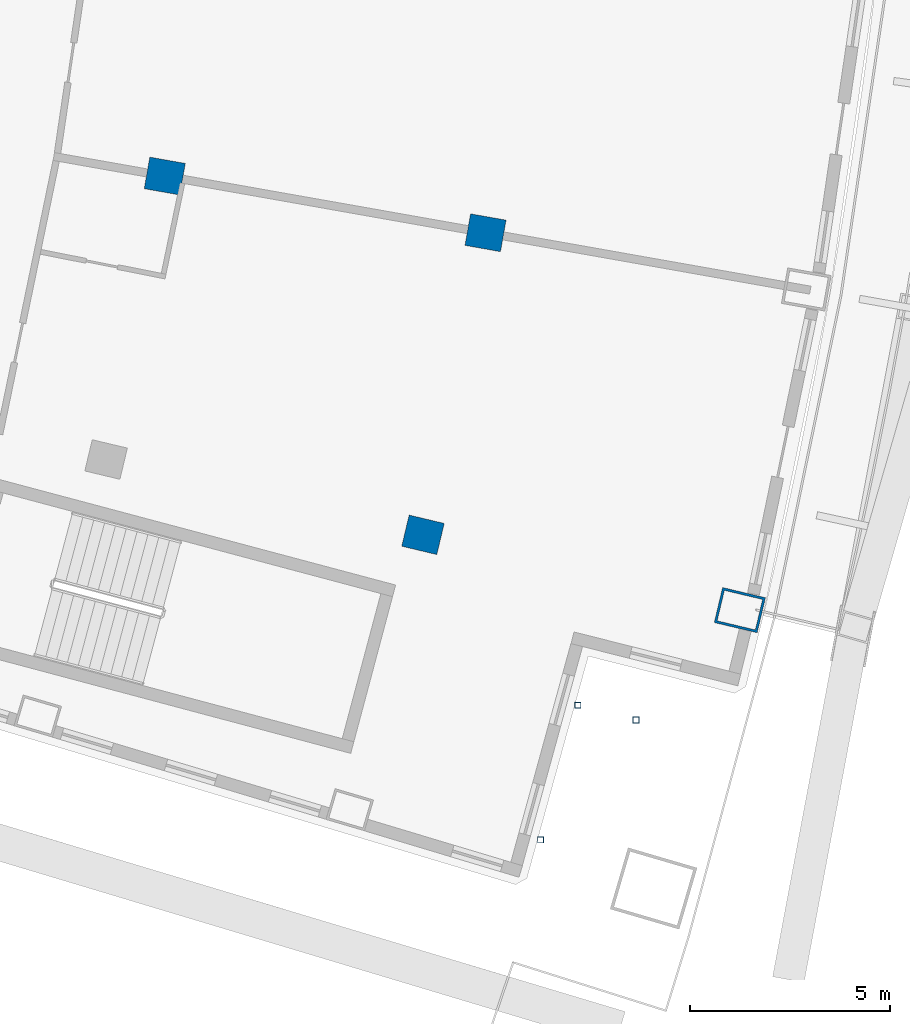
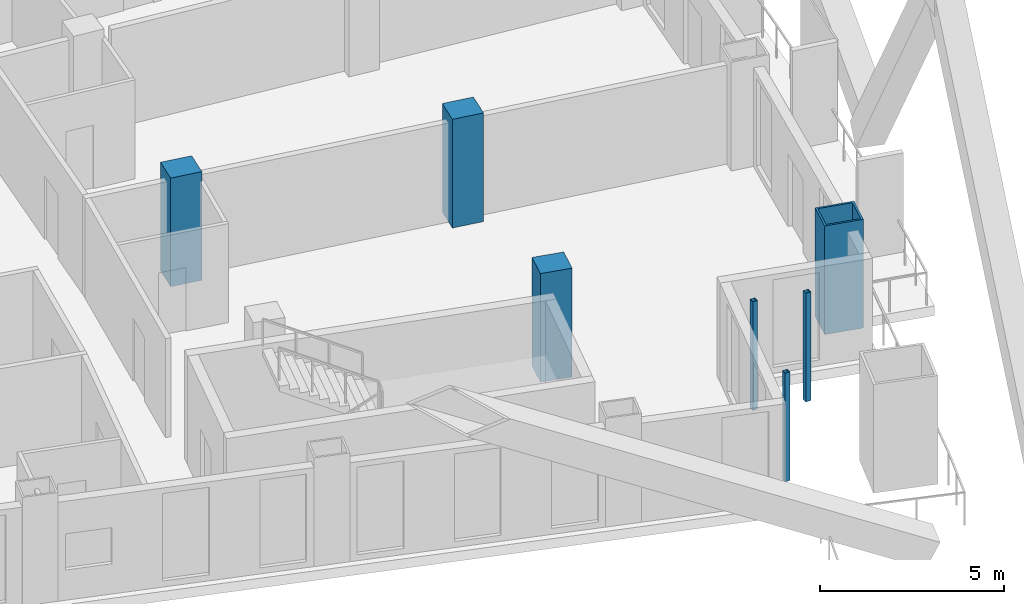
# One storey, part 4 of 20: 7 columns.
"""IFC4 building model written with IfcOpenShell, lengths in metres."""

from ifc_helpers import new_model, si_unit, direction, frame, origin, origin_2d, place, context, subcontext, project, spatial, rectangle, hollow_rectangle, extrude, material, material_profile, profile_set, type_object, element, save


model = new_model("IFC4")

# Units and contexts
model_context = context("Model", 3, precision=1e-05, world=origin(), true_north=direction((0.0, 1.0)))
body_context = subcontext(model_context, "Body", "Model", "MODEL_VIEW")
ifc_project = project(units=[si_unit("LENGTHUNIT", "METRE"), si_unit("AREAUNIT", "SQUARE_METRE"), si_unit("VOLUMEUNIT", "CUBIC_METRE"), si_unit("PLANEANGLEUNIT", "RADIAN"), si_unit("MASSUNIT", "GRAM", prefix="KILO")], contexts=[model_context])

# Site, building, storey
site_placement = place(None, origin())
site = spatial("IfcSite", under=ifc_project, at=site_placement, CompositionType="ELEMENT")
building_placement = place(site_placement, origin())
building = spatial("IfcBuilding", under=site, at=building_placement, Name="Alderwake Tower", CompositionType="ELEMENT")
storey_placement = place(building_placement, frame((0.0, 0.0, 138.800048828125)))
storey = spatial("IfcBuildingStorey", under=building, at=storey_placement, Name="L33", CompositionType="ELEMENT", Elevation=138.800048828125)

# Columns
ifc_material_1 = material(Name="Concrete C70/85", Category="concrete")
ifc_material_profile_1 = material_profile(ifc_material_1, rectangle(XDim=0.800048828125, YDim=0.89990234375, at=origin_2d()), Name="RC 900X800")
ifc_profile_set_1 = profile_set([ifc_material_profile_1], Name="Concrete C70/85")
column_type_1 = type_object("IfcColumnType", Name="Interior column Z3", PredefinedType="COLUMN", material=ifc_profile_set_1)
for number, where, z_axis, x_axis, name in (
    (1, (48.48779296875, 30.46337890625, 0.0), (0.0, 0.0, 1.0), (0.231221547198, 0.972901123502, 0.0), "Column R03-C4"),
    (2, (42.040283203125, 39.422119140625, 0.0), (0.0, 0.0, 1.0), (0.174108800747, 0.984726421654, 0.0), "Column R04-C3"),
    (3, (50.049560546875, 38.006103515625, 0.0), (0.0, 0.0, 1.0), (0.174108800747, 0.984726421654, 0.0), "Column R04-C4"),
):
    element("IfcColumn", number, at=place(storey_placement, frame(where, z_axis=z_axis, x_axis=x_axis)), inside=storey, type_object=column_type_1, Name=name, PredefinedType="COLUMN", context=body_context, shape_type="SweptSolid", body=[
        extrude(rectangle(XDim=0.800048828125, YDim=0.89990234375, at=origin_2d()), origin(), (0.0, 0.0, 1.0), 3.599853515625),
    ])
ifc_material_2 = material(Name="Steel ASTM A500 Grade C", Category="steel")
ifc_material_profile_2 = material_profile(ifc_material_2, hollow_rectangle(XDim=0.15234375, YDim=0.15234375, WallThickness=0.0087890625, at=origin_2d()), Name="HSS6X6X3/8")
ifc_profile_set_2 = profile_set([ifc_material_profile_2], Name="Steel ASTM A500 Grade C")
column_type_2 = type_object("IfcColumnType", Name="Light post HSS6X6X3/8", PredefinedType="COLUMN", material=ifc_profile_set_2)
for number, where, z_axis, x_axis, name in (
    (4, (53.807861328125, 25.840576171875, 0.0), (0.0, 0.0, 1.0), (1.0, 0.0, 0.0), "Terrace post FS1"),
    (5, (51.42431640625, 22.847900390625, 0.0), (0.0, 0.0, 1.0), (1.0, 0.0, 0.0), "Terrace post FS2"),
    (6, (52.353759765625, 26.208740234375, 0.0), (0.0, 0.0, 1.0), (1.0, 0.0, 0.0), "Terrace post FS3"),
):
    element("IfcColumn", number, at=place(storey_placement, frame(where, z_axis=z_axis, x_axis=x_axis)), inside=storey, type_object=column_type_2, Name=name, PredefinedType="COLUMN", context=body_context, shape_type="SweptSolid", body=[
        extrude(hollow_rectangle(XDim=0.15234375, YDim=0.15234375, WallThickness=0.0087890625, at=origin_2d()), origin(), (0.0, 0.0, 1.0), 3.599853515625),
    ])
ifc_material_3 = material(Name="Steel ASTM A572 Grade 50 concrete filled C70/85", Category="concrete")
ifc_material_profile_3 = material_profile(ifc_material_3, hollow_rectangle(XDim=0.89990234375, YDim=1.10009765625, WallThickness=0.06005859375, at=origin_2d()), Name="BOX 1100X900X60")
ifc_profile_set_3 = profile_set([ifc_material_profile_3], Name="Steel ASTM A572 Grade 50 concrete filled C70/85")
column_type_3 = type_object("IfcColumnType", Name="Perimeter column Z3", PredefinedType="COLUMN", material=ifc_profile_set_3)
column_placement = place(storey_placement, frame((56.400634765625, 28.582763671875, 0.0), z_axis=(0.0, 0.0, 1.0), x_axis=(0.231221547198, 0.972901123502, 0.0)))
element("IfcColumn", 7, at=column_placement, inside=storey, type_object=column_type_3, Name="Column R03-C5", PredefinedType="COLUMN", context=body_context, shape_type="SweptSolid", body=[
    extrude(hollow_rectangle(XDim=0.89990234375, YDim=1.10009765625, WallThickness=0.06005859375, at=origin_2d()), origin(), (0.0, 0.0, 1.0), 3.599853515625),
])

save(model, "model.ifc")
